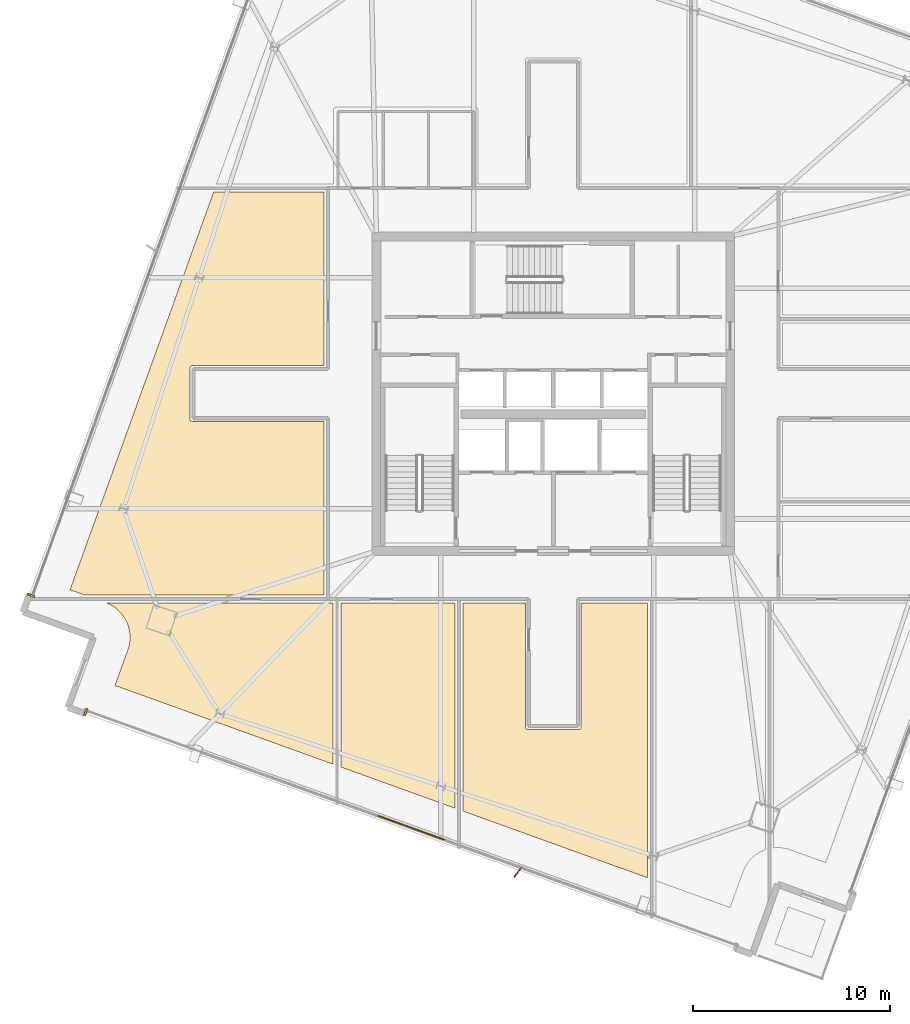
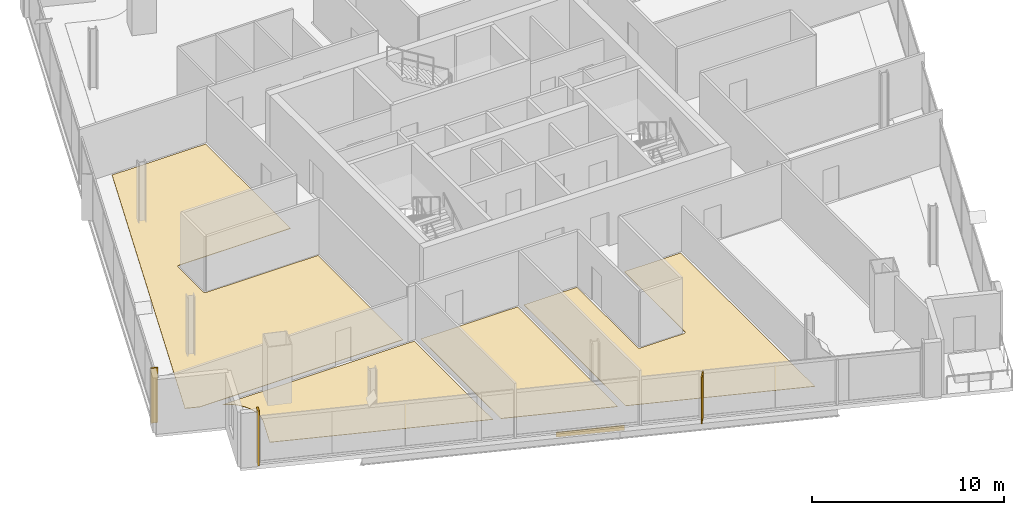
# One storey, part 23 of 27: 7 coverings, 1 shading device.
"""IFC4 building model written with IfcOpenShell, lengths in metres."""

from ifc_helpers import new_model, si_unit, direction, frame, origin, origin_2d, place, context, subcontext, project, spatial, polyline, rectangle, outline, extrude, source, transform, mapped, material, layer, layer_set, type_object, element, save


model = new_model("IFC4")

# Units and contexts
model_context = context("Model", 3, precision=1e-05, world=origin(), true_north=direction((0.0, 1.0)))
body_context = subcontext(model_context, "Body", "Model", "MODEL_VIEW")
ifc_project = project(units=[si_unit("LENGTHUNIT", "METRE"), si_unit("AREAUNIT", "SQUARE_METRE"), si_unit("VOLUMEUNIT", "CUBIC_METRE"), si_unit("PLANEANGLEUNIT", "RADIAN"), si_unit("MASSUNIT", "GRAM", prefix="KILO")], contexts=[model_context])

# Site, building, storey
site_placement = place(None, origin())
site = spatial("IfcSite", under=ifc_project, at=site_placement, CompositionType="ELEMENT")
building_placement = place(site_placement, origin())
building = spatial("IfcBuilding", under=site, at=building_placement, Name="Haldenkirk Collegiate Tower", CompositionType="ELEMENT")
storey_placement = place(building_placement, frame((0.0, 0.0, 263.699951171875)))
storey = spatial("IfcBuildingStorey", under=building, at=storey_placement, Name="L66", CompositionType="ELEMENT", Elevation=263.699951171875)

# Coverings
ifc_material_1 = material(Name="Polished collegiate terrazzo", Category="concrete")
ifc_layer_1 = layer(ifc_material_1, 0.02490234375)
ifc_layer_set_1 = layer_set([ifc_layer_1], Name="Polished collegiate terrazzo")
covering_type_1 = type_object("IfcCoveringType", Name="COV-FLOOR-TERRAZZO", PredefinedType="FLOORING", material=ifc_layer_set_1)
covering_1_placement = place(storey_placement, origin())
element("IfcCovering", 1, at=covering_1_placement, inside=storey, type_object=covering_type_1, Name="L66 academic room finish 02", PredefinedType="FLOORING", context=body_context, shape_type="SweptSolid", body=[
    extrude(outline(polyline([(25.199951171875, 7.0087890625), (25.199951171875, 15.35009765625), (31.0, 15.35009765625), (31.0, 4.9150390625), (25.199951171875, 7.0087890625)])), origin(), (0.0, 0.0, 1.0), 0.025146484375),
])
covering_2_placement = place(storey_placement, origin())
element("IfcCovering", 2, at=covering_2_placement, inside=storey, type_object=covering_type_1, Name="L66 academic room finish 08", PredefinedType="FLOORING", context=body_context, shape_type="SweptSolid", body=[
    extrude(outline(polyline([(18.72412109375, 36.25), (24.35009765625, 36.25), (24.35009765625, 27.419921875), (17.64990234375, 27.419921875), (17.63818359375, 27.41943359375), (17.626708984375, 27.417724609375), (17.615234375, 27.414794921875), (17.60400390625, 27.410888671875), (17.593505859375, 27.40576171875), (17.583251953125, 27.39990234375), (17.573974609375, 27.392822265625), (17.565185546875, 27.385009765625), (17.55712890625, 27.376220703125), (17.55029296875, 27.36669921875), (17.544189453125, 27.356689453125), (17.5390625, 27.345947265625), (17.53515625, 27.334716796875), (17.5322265625, 27.323486328125), (17.530517578125, 27.311767578125), (17.530029296875, 27.300048828125), (17.530029296875, 24.699951171875), (17.530517578125, 24.688232421875), (17.5322265625, 24.676513671875), (17.53515625, 24.665283203125), (17.5390625, 24.654052734375), (17.544189453125, 24.643310546875), (17.55029296875, 24.63330078125), (17.55712890625, 24.623779296875), (17.565185546875, 24.614990234375), (17.573974609375, 24.607177734375), (17.583251953125, 24.60009765625), (17.593505859375, 24.59423828125), (17.60400390625, 24.589111328125), (17.615234375, 24.585205078125), (17.626708984375, 24.582275390625), (17.63818359375, 24.58056640625), (17.64990234375, 24.580078125), (24.35009765625, 24.580078125), (24.35009765625, 15.75), (12.177978515625, 15.75), (11.421875, 16.02294921875), (18.72412109375, 36.25)])), origin(), (0.0, 0.0, 1.0), 0.025146484375),
])
ifc_material_2 = material(Name="Engineered collegiate oak acoustic flooring", Category="wood")
ifc_layer_2 = layer(ifc_material_2, 0.02197265625)
ifc_layer_set_2 = layer_set([ifc_layer_2], Name="Engineered collegiate oak acoustic flooring")
covering_type_2 = type_object("IfcCoveringType", Name="COV-FLOOR-TIMBER", PredefinedType="FLOORING", material=ifc_layer_set_2)
covering_3_placement = place(storey_placement, origin())
element("IfcCovering", 3, at=covering_3_placement, inside=storey, type_object=covering_type_2, Name="L66 academic room finish 01", PredefinedType="FLOORING", context=body_context, shape_type="SweptSolid", body=[
    extrude(outline(polyline([(13.279541015625, 15.35009765625), (24.800048828125, 15.35009765625), (24.800048828125, 7.1533203125), (13.705810546875, 11.158447265625), (14.361083984375, 12.973876953125), (14.36279296875, 12.9794921875), (14.4130859375, 13.1435546875), (14.416015625, 13.15478515625), (14.4501953125, 13.3232421875), (14.451904296875, 13.3349609375), (14.46923828125, 13.505859375), (14.4697265625, 13.517578125), (14.47021484375, 13.689208984375), (14.4697265625, 13.700927734375), (14.45361328125, 13.8720703125), (14.451904296875, 13.8837890625), (14.418701171875, 14.05224609375), (14.416015625, 14.063720703125), (14.366455078125, 14.22802734375), (14.362548828125, 14.2392578125), (14.29736328125, 14.39794921875), (14.292236328125, 14.40869140625), (14.2119140625, 14.560302734375), (14.205810546875, 14.570556640625), (14.11083984375, 14.713623046875), (14.103759765625, 14.72314453125), (13.9951171875, 14.856201171875), (13.9873046875, 14.864990234375), (13.8662109375, 14.986572265625), (13.857421875, 14.994384765625), (13.72509765625, 15.10400390625), (13.715576171875, 15.111083984375), (13.572998046875, 15.206787109375), (13.56298828125, 15.212890625), (13.411865234375, 15.294189453125), (13.401123046875, 15.29931640625), (13.279541015625, 15.35009765625)])), origin(), (0.0, 0.0, 1.0), 0.02197265625),
])
covering_4_placement = place(storey_placement, origin())
element("IfcCovering", 4, at=covering_4_placement, inside=storey, type_object=covering_type_2, Name="L66 academic room finish 03", PredefinedType="FLOORING", context=body_context, shape_type="SweptSolid", body=[
    extrude(outline(polyline([(31.39990234375, 4.770751953125), (31.39990234375, 15.35009765625), (34.580078125, 15.35009765625), (34.580078125, 9.050048828125), (34.58056640625, 9.0380859375), (34.582275390625, 9.026611328125), (34.585205078125, 9.01513671875), (34.589111328125, 9.004150390625), (34.59423828125, 8.993408203125), (34.60009765625, 8.9833984375), (34.607177734375, 8.973876953125), (34.614990234375, 8.965087890625), (34.623779296875, 8.957275390625), (34.63330078125, 8.9501953125), (34.643310546875, 8.944091796875), (34.654052734375, 8.939208984375), (34.665283203125, 8.935302734375), (34.676513671875, 8.932373046875), (34.688232421875, 8.9306640625), (34.699951171875, 8.929931640625), (37.300048828125, 8.929931640625), (37.311767578125, 8.9306640625), (37.323486328125, 8.932373046875), (37.334716796875, 8.935302734375), (37.345947265625, 8.939208984375), (37.356689453125, 8.944091796875), (37.36669921875, 8.9501953125), (37.376220703125, 8.957275390625), (37.385009765625, 8.965087890625), (37.392822265625, 8.973876953125), (37.39990234375, 8.9833984375), (37.40576171875, 8.993408203125), (37.410888671875, 9.004150390625), (37.414794921875, 9.01513671875), (37.417724609375, 9.026611328125), (37.41943359375, 9.0380859375), (37.419921875, 9.050048828125), (37.419921875, 15.35009765625), (40.800048828125, 15.35009765625), (40.800048828125, 1.377197265625), (31.39990234375, 4.770751953125)])), origin(), (0.0, 0.0, 1.0), 0.02197265625),
])
ifc_material_3 = material(Name="Anodised architectural bronze aluminium", Category="aluminium")
ifc_layer_3 = layer(ifc_material_3, 0.06005859375)
ifc_layer_set_3 = layer_set([ifc_layer_3], Name="Anodised architectural bronze aluminium")
covering_type_3 = type_object("IfcCoveringType", Name="COV-CLAD-BRONZE-60", PredefinedType="CLADDING", material=ifc_layer_set_3)
shared_shape_1 = source(origin(), body_context, "Body", "SweptSolid", [
    extrude(rectangle(XDim=3.60009765625, YDim=0.06005859375, at=origin_2d()), origin(), (0.0, 0.0, 1.0), 0.300048828125),
])
covering_5_placement = place(storey_placement, frame((28.77392578125, 3.921875, -0.2998046875), z_axis=(0.0, 0.0, 1.0), x_axis=(-0.94058480613, 0.339558864524, 0.0)))
element("IfcCovering", 5, at=covering_5_placement, inside=storey, type_object=covering_type_3, Name="L66 architectural bronze spandrel cladding W", PredefinedType="CLADDING", context=body_context, shape_type="MappedRepresentation", body=[
    mapped(shared_shape_1, transform((0.0, 0.0, 0.0), x_axis=(1.0, 0.0, 0.0), y_axis=(0.0, 1.0, 0.0), z_axis=(0.0, 0.0, 1.0), scale=1.0)),
])
shared_shape_2 = source(origin(), body_context, "Body", "SweptSolid", [
    extrude(rectangle(XDim=0.10009765625, YDim=0.3798828125, at=origin_2d()), origin(), (0.0, 0.0, 1.0), 3.47998046875),
])
for number, where, z_axis, x_axis, name in (
    (6, (9.428466796875, 15.7431640625, 0.0), (0.0, 0.0, 1.0), (0.339558864524, 0.94058480613, 0.0), "L66 recessed curtain-wall bronze jamb closure NJL"),
    (7, (12.21728515625, 9.803466796875, 0.0), (0.0, 0.0, 1.0), (-0.94058480613, 0.339558864524, 0.0), "L66 recessed curtain-wall bronze jamb closure WJR"),
):
    element("IfcCovering", number, at=place(storey_placement, frame(where, z_axis=z_axis, x_axis=x_axis)), inside=storey, type_object=covering_type_3, Name=name, PredefinedType="CLADDING", context=body_context, shape_type="MappedRepresentation", body=[
        mapped(shared_shape_2, transform((0.0, 0.0, 0.0), x_axis=(1.0, 0.0, 0.0), y_axis=(0.0, 1.0, 0.0), z_axis=(0.0, 0.0, 1.0), scale=1.0)),
    ])

# Shading device
ifc_layer_4 = layer(ifc_material_3, 0.06494140625)
ifc_layer_set_4 = layer_set([ifc_layer_4], Name="Anodised architectural bronze aluminium")
shading_device_type = type_object("IfcShadingDeviceType", Name="SHD-FIN-BRONZE-620", PredefinedType="USERDEFINED", material=ifc_layer_set_4)
shared_shape_3 = source(origin(), body_context, "Body", "SweptSolid", [
    extrude(rectangle(XDim=0.6201171875, YDim=0.06494140625, at=origin_2d()), origin(), (0.0, 0.0, 1.0), 2.93798828125),
])
shading_device_placement = place(storey_placement, frame((34.19189453125, 1.65234375, 0.0), z_axis=(0.0, 0.0, 1.0), x_axis=(-0.585665238866, -0.810553038353, 0.0)))
element("IfcShadingDevice", 8, at=shading_device_placement, inside=storey, type_object=shading_device_type, Name="L66 folded bronze solar fin 1", ObjectType="FIN", PredefinedType="USERDEFINED", context=body_context, shape_type="MappedRepresentation", body=[
    mapped(shared_shape_3, transform((0.0, 0.0, 0.0), x_axis=(1.0, 0.0, 0.0), y_axis=(0.0, 1.0, 0.0), z_axis=(0.0, 0.0, 1.0), scale=1.0)),
])

save(model, "model.ifc")
